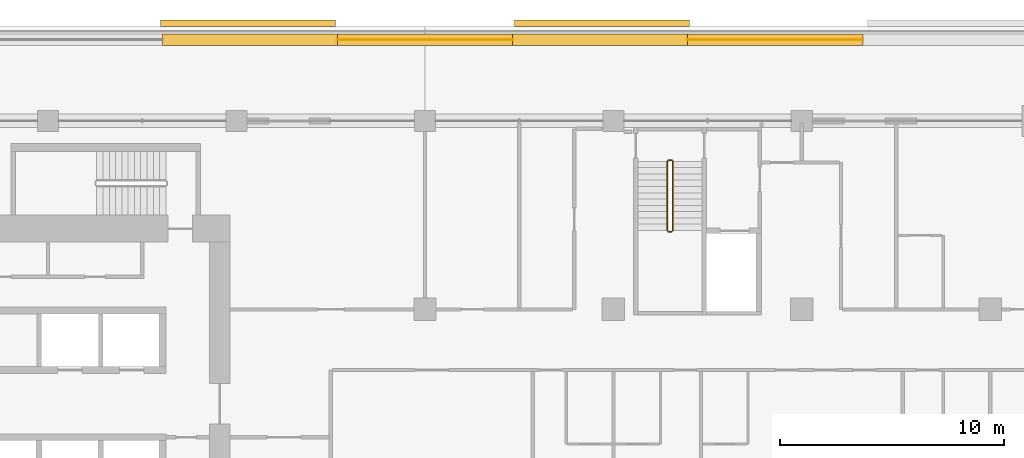
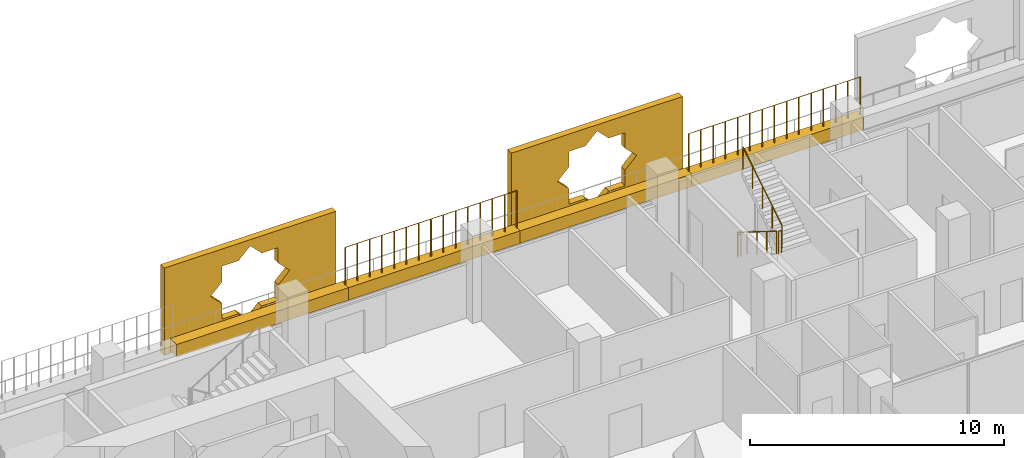
# One storey, part 22 of 23: 6 coverings, 6 railings.
"""IFC4 building model written with IfcOpenShell, lengths in metres."""

from ifc_helpers import new_model, si_unit, direction, frame, origin, origin_2d, place, context, subcontext, project, spatial, polyline, rectangle, circle, outline, extrude, material, material_profile, profile_set, type_object, element, save


model = new_model("IFC4")

# Units and contexts
model_context = context("Model", 3, precision=1e-05, world=origin(), true_north=direction((0.0, 1.0)))
body_context = subcontext(model_context, "Body", "Model", "MODEL_VIEW")
ifc_project = project(units=[si_unit("LENGTHUNIT", "METRE"), si_unit("AREAUNIT", "SQUARE_METRE"), si_unit("VOLUMEUNIT", "CUBIC_METRE"), si_unit("PLANEANGLEUNIT", "RADIAN"), si_unit("MASSUNIT", "GRAM", prefix="KILO")], contexts=[model_context])

# Site, building, storey
site_placement = place(None, origin())
site = spatial("IfcSite", under=ifc_project, at=site_placement, CompositionType="ELEMENT")
building_placement = place(site_placement, origin())
building = spatial("IfcBuilding", under=site, at=building_placement, Name="Kawkab Arch Medical Tower", CompositionType="ELEMENT")
storey_placement = place(building_placement, frame((0.0, 0.0, 166.800048828125)))
storey = spatial("IfcBuildingStorey", under=building, at=storey_placement, Name="L38", CompositionType="ELEMENT", Elevation=166.800048828125)

# Coverings
ifc_material_1 = material(Name="Bronze anodised aluminium mashrabiya panel, eight-point star pattern", Category="aluminium")
ifc_material_profile_1 = material_profile(ifc_material_1, outline(polyline([(-3.89990234375, -2.10009765625), (3.89990234375, -2.10009765625), (3.89990234375, 2.10009765625), (-3.89990234375, 2.10009765625), (-3.89990234375, -2.10009765625)]), holes=[polyline([(1.800048828125, 0.0), (1.272705078125, 0.527099609375), (1.272705078125, 1.272705078125), (0.527099609375, 1.272705078125), (0.0, 1.800048828125), (-0.527099609375, 1.272705078125), (-1.272705078125, 1.272705078125), (-1.272705078125, 0.527099609375), (-1.800048828125, 0.0), (-1.272705078125, -0.527099609375), (-1.272705078125, -1.272705078125), (-0.527099609375, -1.272705078125), (0.0, -1.800048828125), (0.527099609375, -1.272705078125), (1.272705078125, -1.272705078125), (1.272705078125, -0.527099609375), (1.800048828125, 0.0)])]), Name="Mashrabiya panel 7800x4200")
ifc_profile_set_1 = profile_set([ifc_material_profile_1], Name="Bronze anodised aluminium mashrabiya panel, eight-point star pattern")
covering_type_1 = type_object("IfcCoveringType", Name="Mashrabiya panel 7800 x 4200", PredefinedType="USERDEFINED", material=ifc_profile_set_1)
for number, where, z_axis, x_axis, name in (
    (1, (25.7158203125, 4.199951171875, 1.699951171875), (0.0, 1.0, 0.0), (-1.0, 0.0, 0.0), "Mashrabiya panel L38.LOG-01-02.4"),
    (2, (41.484375, 4.199951171875, 1.699951171875), (0.0, 1.0, 0.0), (-1.0, 0.0, 0.0), "Mashrabiya panel L38.LOG-01-02.5"),
):
    element("IfcCovering", number, at=place(storey_placement, frame(where, z_axis=z_axis, x_axis=x_axis)), inside=storey, type_object=covering_type_1, Name=name, ObjectType="SCREEN", PredefinedType="USERDEFINED", context=body_context, shape_type="SweptSolid", body=[
        extrude(outline(polyline([(-3.89990234375, -2.10009765625), (3.89990234375, -2.10009765625), (3.89990234375, 2.10009765625), (-3.89990234375, 2.10009765625), (-3.89990234375, -2.10009765625)]), holes=[polyline([(1.800048828125, 0.0), (1.272705078125, 0.527099609375), (1.272705078125, 1.272705078125), (0.527099609375, 1.272705078125), (0.0, 1.800048828125), (-0.527099609375, 1.272705078125), (-1.272705078125, 1.272705078125), (-1.272705078125, 0.527099609375), (-1.800048828125, 0.0), (-1.272705078125, -0.527099609375), (-1.272705078125, -1.272705078125), (-0.527099609375, -1.272705078125), (0.0, -1.800048828125), (0.527099609375, -1.272705078125), (1.272705078125, -1.272705078125), (1.272705078125, -0.527099609375), (1.800048828125, 0.0)])]), origin(), (0.0, 0.0, 1.0), 0.300048828125),
    ])
ifc_material_2 = material(Name="Planting soil in a precast trough", Category="concrete")
ifc_material_profile_2 = material_profile(ifc_material_2, rectangle(XDim=0.5, YDim=0.60009765625, at=origin_2d()), Name="Trough 500x600")
ifc_profile_set_2 = profile_set([ifc_material_profile_2], Name="Planting soil in a precast trough")
covering_type_2 = type_object("IfcCoveringType", Name="Planter trough 500 x 600", PredefinedType="USERDEFINED", material=ifc_profile_set_2)
covering_1_placement = place(storey_placement, frame((21.89306640625, 3.6201171875, 0.300048828125), z_axis=(1.0, 0.0, 0.0), x_axis=(0.0, 1.0, 0.0)))
element("IfcCovering", 3, at=covering_1_placement, inside=storey, type_object=covering_type_2, Name="Planter L38.LOG-01-02.22", ObjectType="PLANTER", PredefinedType="USERDEFINED", context=body_context, shape_type="SweptSolid", body=[
    extrude(rectangle(XDim=0.5, YDim=0.60009765625, at=origin_2d()), origin(), (0.0, 0.0, 1.0), 7.804931640625),
])
covering_2_placement = place(storey_placement, frame((29.697998046875, 3.6201171875, 0.300048828125), z_axis=(1.0, 0.0, 0.0), x_axis=(0.0, 1.0, 0.0)))
element("IfcCovering", 4, at=covering_2_placement, inside=storey, type_object=covering_type_2, Name="Planter L38.LOG-01-02.23", ObjectType="PLANTER", PredefinedType="USERDEFINED", context=body_context, shape_type="SweptSolid", body=[
    extrude(rectangle(XDim=0.5, YDim=0.60009765625, at=origin_2d()), origin(), (0.0, 0.0, 1.0), 7.803955078125),
])
covering_3_placement = place(storey_placement, frame((37.501953125, 3.6201171875, 0.300048828125), z_axis=(1.0, 0.0, 0.0), x_axis=(0.0, 1.0, 0.0)))
element("IfcCovering", 5, at=covering_3_placement, inside=storey, type_object=covering_type_2, Name="Planter L38.LOG-01-02.24", ObjectType="PLANTER", PredefinedType="USERDEFINED", context=body_context, shape_type="SweptSolid", body=[
    extrude(rectangle(XDim=0.5, YDim=0.60009765625, at=origin_2d()), origin(), (0.0, 0.0, 1.0), 7.804931640625),
])
covering_4_placement = place(storey_placement, frame((45.306884765625, 3.6201171875, 0.300048828125), z_axis=(1.0, 0.0, 0.0), x_axis=(0.0, 1.0, 0.0)))
element("IfcCovering", 6, at=covering_4_placement, inside=storey, type_object=covering_type_2, Name="Planter L38.LOG-01-02.25", ObjectType="PLANTER", PredefinedType="USERDEFINED", context=body_context, shape_type="SweptSolid", body=[
    extrude(rectangle(XDim=0.5, YDim=0.60009765625, at=origin_2d()), origin(), (0.0, 0.0, 1.0), 7.80517578125),
])

# Railings
ifc_material_3 = material(Name="Bronze anodised aluminium trellis for climbing plants", Category="aluminium")
railing_type_1 = type_object("IfcRailingType", Name="Planting trellis 2400", PredefinedType="USERDEFINED", material=ifc_material_3)
railing_1_placement = place(storey_placement, frame((29.697998046875, 3.6201171875, 0.0)))
element("IfcRailing", 7, at=railing_1_placement, inside=storey, type_object=railing_type_1, Name="Planting trellis L38.LOG-01-02.23", ObjectType="TRELLIS", PredefinedType="USERDEFINED", context=body_context, shape_type="SweptSolid", body=[
    extrude(circle(Radius=0.01513671875, at=origin_2d()), frame((0.0, 0.0, 2.384765625), z_axis=(1.0, 0.0, 0.0), x_axis=(0.0, 1.0, 0.0)), (0.0, 0.0, 1.0), 7.803955078125),
    extrude(circle(Radius=0.030029296875, at=origin_2d()), origin(), (0.0, 0.0, 1.0), 2.369873046875),
    extrude(circle(Radius=0.030029296875, at=origin_2d()), frame((0.557373046875, 0.0, 0.0)), (0.0, 0.0, 1.0), 2.369873046875),
    extrude(circle(Radius=0.030029296875, at=origin_2d()), frame((1.11474609375, 0.0, 0.0)), (0.0, 0.0, 1.0), 2.369873046875),
    extrude(circle(Radius=0.030029296875, at=origin_2d()), frame((1.67236328125, 0.0, 0.0)), (0.0, 0.0, 1.0), 2.369873046875),
    extrude(circle(Radius=0.030029296875, at=origin_2d()), frame((2.229736328125, 0.0, 0.0)), (0.0, 0.0, 1.0), 2.369873046875),
    extrude(circle(Radius=0.030029296875, at=origin_2d()), frame((2.787109375, 0.0, 0.0)), (0.0, 0.0, 1.0), 2.369873046875),
    extrude(circle(Radius=0.030029296875, at=origin_2d()), frame((3.344482421875, 0.0, 0.0)), (0.0, 0.0, 1.0), 2.369873046875),
    extrude(circle(Radius=0.030029296875, at=origin_2d()), frame((3.90185546875, 0.0, 0.0)), (0.0, 0.0, 1.0), 2.369873046875),
    extrude(circle(Radius=0.030029296875, at=origin_2d()), frame((4.45947265625, 0.0, 0.0)), (0.0, 0.0, 1.0), 2.369873046875),
    extrude(circle(Radius=0.030029296875, at=origin_2d()), frame((5.016845703125, 0.0, 0.0)), (0.0, 0.0, 1.0), 2.369873046875),
    extrude(circle(Radius=0.030029296875, at=origin_2d()), frame((5.57421875, 0.0, 0.0)), (0.0, 0.0, 1.0), 2.369873046875),
    extrude(circle(Radius=0.030029296875, at=origin_2d()), frame((6.131591796875, 0.0, 0.0)), (0.0, 0.0, 1.0), 2.369873046875),
    extrude(circle(Radius=0.030029296875, at=origin_2d()), frame((6.689208984375, 0.0, 0.0)), (0.0, 0.0, 1.0), 2.369873046875),
    extrude(circle(Radius=0.030029296875, at=origin_2d()), frame((7.24658203125, 0.0, 0.0)), (0.0, 0.0, 1.0), 2.369873046875),
    extrude(circle(Radius=0.030029296875, at=origin_2d()), frame((7.803955078125, 0.0, 0.0)), (0.0, 0.0, 1.0), 2.369873046875),
])
railing_2_placement = place(storey_placement, frame((45.306884765625, 3.6201171875, 0.0)))
element("IfcRailing", 8, at=railing_2_placement, inside=storey, type_object=railing_type_1, Name="Planting trellis L38.LOG-01-02.25", ObjectType="TRELLIS", PredefinedType="USERDEFINED", context=body_context, shape_type="SweptSolid", body=[
    extrude(circle(Radius=0.01513671875, at=origin_2d()), frame((0.0, 0.0, 2.384765625), z_axis=(1.0, 0.0, 0.0), x_axis=(0.0, 1.0, 0.0)), (0.0, 0.0, 1.0), 7.80517578125),
    extrude(circle(Radius=0.030029296875, at=origin_2d()), origin(), (0.0, 0.0, 1.0), 2.369873046875),
    extrude(circle(Radius=0.030029296875, at=origin_2d()), frame((0.5576171875, 0.0, 0.0)), (0.0, 0.0, 1.0), 2.369873046875),
    extrude(circle(Radius=0.030029296875, at=origin_2d()), frame((1.114990234375, 0.0, 0.0)), (0.0, 0.0, 1.0), 2.369873046875),
    extrude(circle(Radius=0.030029296875, at=origin_2d()), frame((1.672607421875, 0.0, 0.0)), (0.0, 0.0, 1.0), 2.369873046875),
    extrude(circle(Radius=0.030029296875, at=origin_2d()), frame((2.22998046875, 0.0, 0.0)), (0.0, 0.0, 1.0), 2.369873046875),
    extrude(circle(Radius=0.030029296875, at=origin_2d()), frame((2.78759765625, 0.0, 0.0)), (0.0, 0.0, 1.0), 2.369873046875),
    extrude(circle(Radius=0.030029296875, at=origin_2d()), frame((3.344970703125, 0.0, 0.0)), (0.0, 0.0, 1.0), 2.369873046875),
    extrude(circle(Radius=0.030029296875, at=origin_2d()), frame((3.902587890625, 0.0, 0.0)), (0.0, 0.0, 1.0), 2.369873046875),
    extrude(circle(Radius=0.030029296875, at=origin_2d()), frame((4.460205078125, 0.0, 0.0)), (0.0, 0.0, 1.0), 2.369873046875),
    extrude(circle(Radius=0.030029296875, at=origin_2d()), frame((5.017578125, 0.0, 0.0)), (0.0, 0.0, 1.0), 2.369873046875),
    extrude(circle(Radius=0.030029296875, at=origin_2d()), frame((5.5751953125, 0.0, 0.0)), (0.0, 0.0, 1.0), 2.369873046875),
    extrude(circle(Radius=0.030029296875, at=origin_2d()), frame((6.132568359375, 0.0, 0.0)), (0.0, 0.0, 1.0), 2.369873046875),
    extrude(circle(Radius=0.030029296875, at=origin_2d()), frame((6.690185546875, 0.0, 0.0)), (0.0, 0.0, 1.0), 2.369873046875),
    extrude(circle(Radius=0.030029296875, at=origin_2d()), frame((7.24755859375, 0.0, 0.0)), (0.0, 0.0, 1.0), 2.369873046875),
    extrude(circle(Radius=0.030029296875, at=origin_2d()), frame((7.80517578125, 0.0, 0.0)), (0.0, 0.0, 1.0), 2.369873046875),
])
ifc_material_4 = material(Name="Stainless steel", Category="steel")
railing_type_2 = type_object("IfcRailingType", Name="Stair guard 1100", PredefinedType="GUARDRAIL", material=ifc_material_4)
railing_3_placement = place(storey_placement, frame((44.39990234375, -1.800048828125, 0.175048828125)))
element("IfcRailing", 9, at=railing_3_placement, inside=storey, type_object=railing_type_2, Name="L38 ST5 stair guard 1", PredefinedType="GUARDRAIL", context=body_context, shape_type="SweptSolid", body=[
    extrude(circle(Radius=0.02392578125, at=origin_2d()), frame((0.0, 0.0, 1.076171875), z_axis=(0.0, -0.848009633417, 0.529980812513), x_axis=(1.0, 0.0, 0.0)), (0.0, 0.0, 1.0), 3.6318359375),
    extrude(circle(Radius=0.02099609375, at=origin_2d()), origin(), (0.0, 0.0, 1.0), 1.052001953125),
    extrude(circle(Radius=0.02099609375, at=origin_2d()), frame((0.0, -0.77001953125, 0.481201171875)), (0.0, 0.0, 1.0), 1.052001953125),
    extrude(circle(Radius=0.02099609375, at=origin_2d()), frame((0.0, -1.5400390625, 0.96240234375)), (0.0, 0.0, 1.0), 1.052001953125),
    extrude(circle(Radius=0.02099609375, at=origin_2d()), frame((0.0, -2.309814453125, 1.443603515625)), (0.0, 0.0, 1.0), 1.052001953125),
    extrude(circle(Radius=0.02099609375, at=origin_2d()), frame((0.0, -3.079833984375, 1.9248046875)), (0.0, 0.0, 1.0), 1.052001953125),
])
railing_4_placement = place(storey_placement, frame((44.449951171875, -4.929931640625, 2.099853515625)))
element("IfcRailing", 10, at=railing_4_placement, inside=storey, type_object=railing_type_2, Name="L38 ST5 stair guard 2", PredefinedType="GUARDRAIL", context=body_context, shape_type="SweptSolid", body=[
    extrude(circle(Radius=0.02392578125, at=origin_2d()), frame((0.0, 0.0, 1.076171875), z_axis=(1.0, 0.0, 0.0), x_axis=(0.0, 1.0, 0.0)), (0.0, 0.0, 1.0), 0.150146484375),
    extrude(circle(Radius=0.02099609375, at=origin_2d()), origin(), (0.0, 0.0, 1.0), 1.052001953125),
    extrude(circle(Radius=0.02099609375, at=origin_2d()), frame((0.150146484375, 0.0, 0.0)), (0.0, 0.0, 1.0), 1.052001953125),
])
railing_5_placement = place(storey_placement, frame((44.64990234375, -4.8798828125, 2.27490234375)))
element("IfcRailing", 11, at=railing_5_placement, inside=storey, type_object=railing_type_2, Name="L38 ST5 stair guard 3", PredefinedType="GUARDRAIL", context=body_context, shape_type="SweptSolid", body=[
    extrude(circle(Radius=0.02392578125, at=origin_2d()), frame((0.0, 0.0, 1.076171875), z_axis=(0.0, 0.847979421464, 0.530029150871), x_axis=(-1.0, 0.0, 0.0)), (0.0, 0.0, 1.0), 3.632080078125),
    extrude(circle(Radius=0.02099609375, at=origin_2d()), origin(), (0.0, 0.0, 1.0), 1.052001953125),
    extrude(circle(Radius=0.02099609375, at=origin_2d()), frame((0.0, 0.77001953125, 0.481201171875)), (0.0, 0.0, 1.0), 1.052001953125),
    extrude(circle(Radius=0.02099609375, at=origin_2d()), frame((0.0, 1.5400390625, 0.96240234375)), (0.0, 0.0, 1.0), 1.052001953125),
    extrude(circle(Radius=0.02099609375, at=origin_2d()), frame((0.0, 2.309814453125, 1.44384765625)), (0.0, 0.0, 1.0), 1.052001953125),
    extrude(circle(Radius=0.02099609375, at=origin_2d()), frame((0.0, 3.079833984375, 1.925048828125)), (0.0, 0.0, 1.0), 1.052001953125),
])
railing_6_placement = place(storey_placement, frame((44.449951171875, -1.75, 0.0)))
element("IfcRailing", 12, at=railing_6_placement, inside=storey, type_object=railing_type_2, Name="L38 ST5 stair guard 4", PredefinedType="GUARDRAIL", context=body_context, shape_type="SweptSolid", body=[
    extrude(circle(Radius=0.02392578125, at=origin_2d()), frame((0.0, 0.0, 1.076171875), z_axis=(1.0, 0.0, 0.0), x_axis=(0.0, 1.0, 0.0)), (0.0, 0.0, 1.0), 0.150146484375),
    extrude(circle(Radius=0.02099609375, at=origin_2d()), origin(), (0.0, 0.0, 1.0), 1.052001953125),
    extrude(circle(Radius=0.02099609375, at=origin_2d()), frame((0.150146484375, 0.0, 0.0)), (0.0, 0.0, 1.0), 1.052001953125),
])

save(model, "model.ifc")
